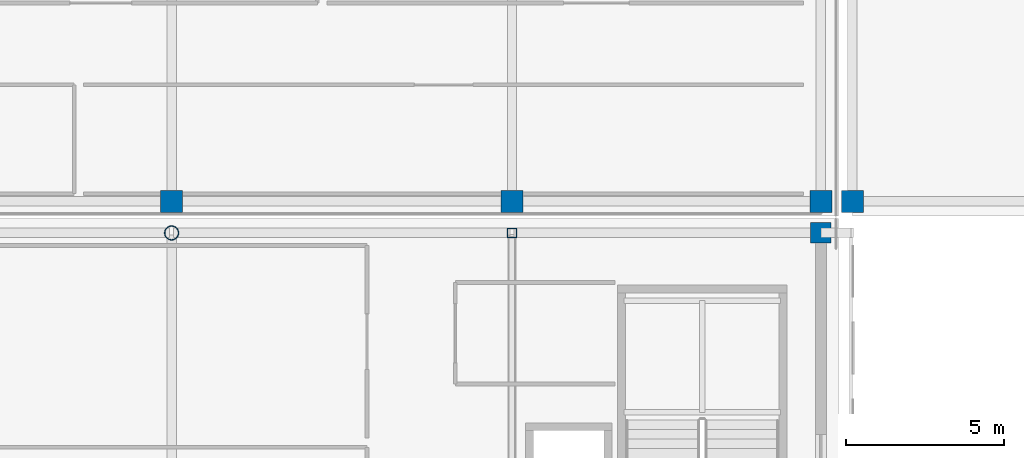
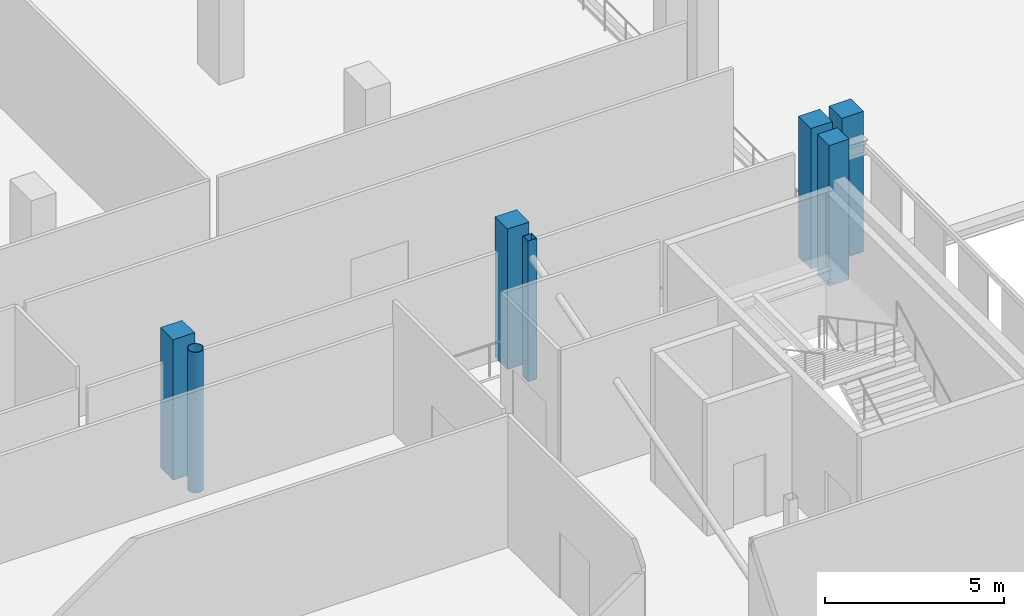
# One storey, part 10 of 74: 7 columns.
"""IFC4 building model written with IfcOpenShell, lengths in metres."""

from ifc_helpers import new_model, si_unit, direction, frame, origin, origin_2d, place, context, subcontext, project, spatial, rectangle, hollow_rectangle, hollow_circle, extrude, material, material_profile, profile_set, type_object, element, save


model = new_model("IFC4")

# Units and contexts
model_context = context("Model", 3, precision=1e-05, world=origin(), true_north=direction((0.0, 1.0)))
body_context = subcontext(model_context, "Body", "Model", "MODEL_VIEW")
ifc_project = project(units=[si_unit("LENGTHUNIT", "METRE"), si_unit("AREAUNIT", "SQUARE_METRE"), si_unit("VOLUMEUNIT", "CUBIC_METRE"), si_unit("PLANEANGLEUNIT", "RADIAN"), si_unit("MASSUNIT", "GRAM", prefix="KILO")], contexts=[model_context])

# Site, building, storey
site_placement = place(None, origin())
site = spatial("IfcSite", under=ifc_project, at=site_placement, CompositionType="ELEMENT")
building_placement = place(site_placement, origin())
building = spatial("IfcBuilding", under=site, at=building_placement, Name="Koshinbarg Plaza Stadium", CompositionType="ELEMENT")
storey_placement = place(building_placement, frame((0.0, 0.0, 15.0)))
storey = spatial("IfcBuildingStorey", under=building, at=storey_placement, Name="L03", CompositionType="ELEMENT", Elevation=15.0)

# Columns
ifc_material_1 = material(Name="Concrete C40/50", Category="concrete")
ifc_material_profile_1 = material_profile(ifc_material_1, rectangle(XDim=0.64990234375, YDim=0.64990234375, at=origin_2d()), Name="RC 650x650")
ifc_profile_set_1 = profile_set([ifc_material_profile_1], Name="Concrete C40/50")
column_type_1 = type_object("IfcColumnType", Name="COL-RC-05", PredefinedType="COLUMN", material=ifc_profile_set_1)
column_1_placement = place(storey_placement, frame((218.39990234375, 126.5, 0.0), z_axis=(0.0, 0.0, 1.0), x_axis=(1.0, 0.0, 0.0)))
element("IfcColumn", 1, at=column_1_placement, inside=storey, type_object=column_type_1, Name="L03 column 21/R", PredefinedType="COLUMN", context=body_context, shape_type="SweptSolid", body=[
    extrude(rectangle(XDim=0.64990234375, YDim=0.64990234375, at=origin_2d()), origin(), (0.0, 0.0, 1.0), 4.800048828125),
])
ifc_material_profile_2 = material_profile(ifc_material_1, rectangle(XDim=0.699951171875, YDim=0.699951171875, at=origin_2d()), Name="RC 700x700")
ifc_profile_set_2 = profile_set([ifc_material_profile_2], Name="Concrete C40/50")
column_type_2 = type_object("IfcColumnType", Name="COL-RC-06", PredefinedType="COLUMN", material=ifc_profile_set_2)
for number, where, z_axis, x_axis, name in (
    (2, (197.800048828125, 127.5, 0.0), (0.0, 0.0, 1.0), (1.0, 0.0, 0.0), "L03 column 19/S"),
    (3, (208.60009765625, 127.5, 0.0), (0.0, 0.0, 1.0), (1.0, 0.0, 0.0), "L03 column 20/S"),
    (4, (218.39990234375, 127.5, 0.0), (0.0, 0.0, 1.0), (1.0, 0.0, 0.0), "L03 column 21/S"),
    (5, (219.39990234375, 127.5, 0.0), (0.0, 0.0, 1.0), (1.0, 0.0, 0.0), "L03 column 22/S"),
):
    element("IfcColumn", number, at=place(storey_placement, frame(where, z_axis=z_axis, x_axis=x_axis)), inside=storey, type_object=column_type_2, Name=name, PredefinedType="COLUMN", context=body_context, shape_type="SweptSolid", body=[
        extrude(rectangle(XDim=0.699951171875, YDim=0.699951171875, at=origin_2d()), origin(), (0.0, 0.0, 1.0), 4.800048828125),
    ])
ifc_material_2 = material(Name="Steel S355", Category="steel")
ifc_material_profile_3 = material_profile(ifc_material_2, hollow_circle(Radius=0.228515625, WallThickness=0.02001953125, at=origin_2d()), Name="CHS 457x20")
ifc_profile_set_3 = profile_set([ifc_material_profile_3], Name="Steel S355")
column_type_3 = type_object("IfcColumnType", Name="COL-STL-05", PredefinedType="COLUMN", material=ifc_profile_set_3)
column_2_placement = place(storey_placement, frame((197.800048828125, 126.5, 0.0), z_axis=(0.0, 0.0, 1.0), x_axis=(1.0, 0.0, 0.0)))
element("IfcColumn", 6, at=column_2_placement, inside=storey, type_object=column_type_3, Name="L03 column 19/R", PredefinedType="COLUMN", context=body_context, shape_type="SweptSolid", body=[
    extrude(hollow_circle(Radius=0.228515625, WallThickness=0.02001953125, at=origin_2d()), origin(), (0.0, 0.0, 1.0), 4.800048828125),
])
ifc_material_profile_4 = material_profile(ifc_material_2, hollow_rectangle(XDim=0.300048828125, YDim=0.300048828125, WallThickness=0.01611328125, at=origin_2d()), Name="SHS 300x300x16")
ifc_profile_set_4 = profile_set([ifc_material_profile_4], Name="Steel S355")
column_type_4 = type_object("IfcColumnType", Name="COL-STL-06", PredefinedType="COLUMN", material=ifc_profile_set_4)
column_3_placement = place(storey_placement, frame((208.60009765625, 126.5, 0.0), z_axis=(0.0, 0.0, 1.0), x_axis=(1.0, 0.0, 0.0)))
element("IfcColumn", 7, at=column_3_placement, inside=storey, type_object=column_type_4, Name="L03 column 20/R", PredefinedType="COLUMN", context=body_context, shape_type="SweptSolid", body=[
    extrude(hollow_rectangle(XDim=0.300048828125, YDim=0.300048828125, WallThickness=0.01611328125, at=origin_2d()), origin(), (0.0, 0.0, 1.0), 4.800048828125),
])

save(model, "model.ifc")
